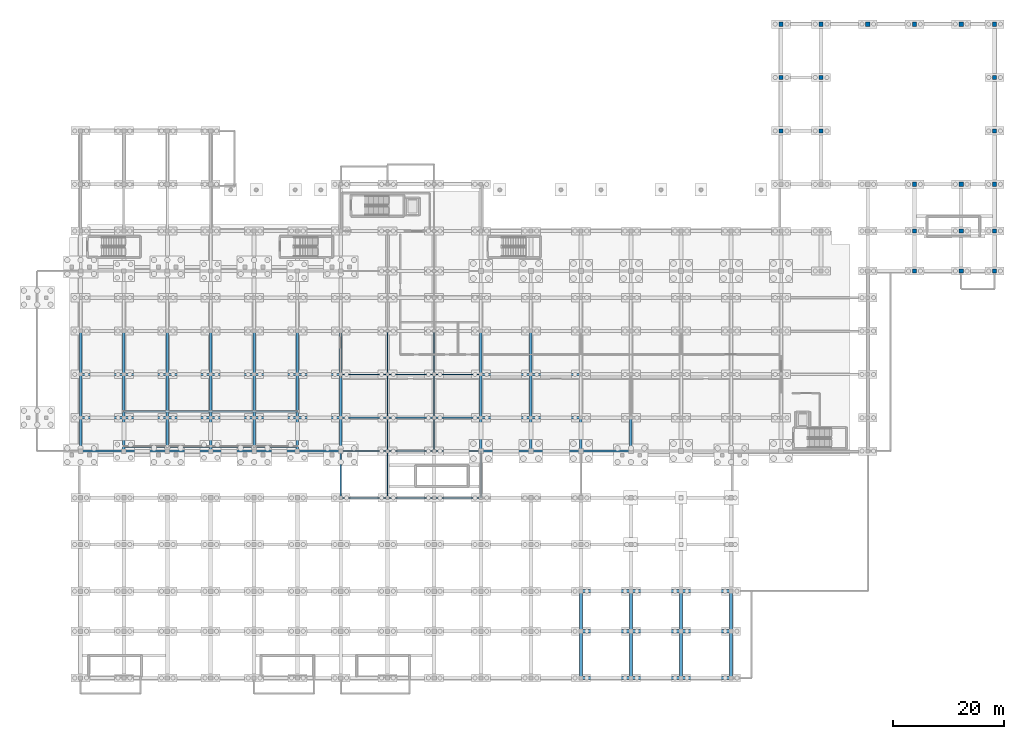
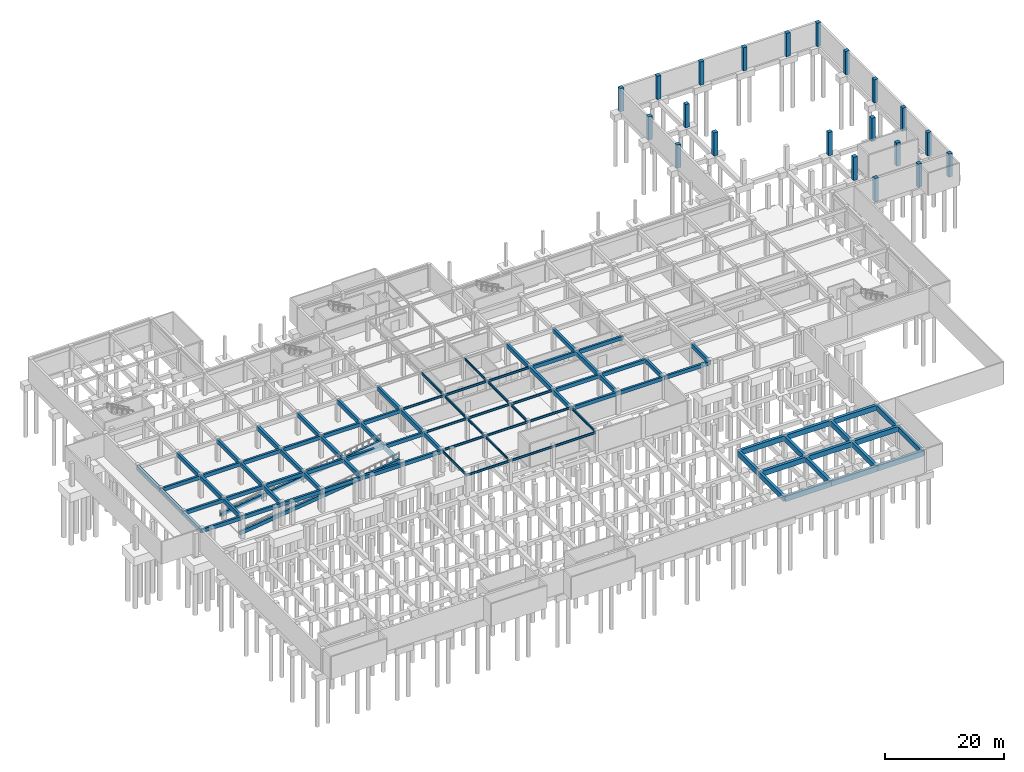
# One storey, part 12 of 26: 94 beams, 21 columns.
"""IFC4 building model written with IfcOpenShell, lengths in metres."""

from ifc_helpers import new_model, si_unit, direction, frame, origin, origin_2d, place, context, subcontext, project, spatial, rectangle, i_section, extrude, material, material_profile, profile_set, type_object, element, save


model = new_model("IFC4")

# Units and contexts
model_context = context("Model", 3, precision=1e-05, world=origin(), true_north=direction((0.0, 1.0)))
body_context = subcontext(model_context, "Body", "Model", "MODEL_VIEW")
ifc_project = project(units=[si_unit("LENGTHUNIT", "METRE"), si_unit("AREAUNIT", "SQUARE_METRE"), si_unit("VOLUMEUNIT", "CUBIC_METRE"), si_unit("PLANEANGLEUNIT", "RADIAN"), si_unit("MASSUNIT", "GRAM", prefix="KILO")], contexts=[model_context])

# Site, building, storey
site_placement = place(None, origin())
site = spatial("IfcSite", under=ifc_project, at=site_placement, CompositionType="ELEMENT")
building_placement = place(site_placement, origin())
building = spatial("IfcBuilding", under=site, at=building_placement, Name="Tizgana Railside Sports Hall", CompositionType="ELEMENT")
storey_placement = place(building_placement, frame((0.0, 0.0, -4.800048828125)))
storey = spatial("IfcBuildingStorey", under=building, at=storey_placement, Name="B1", CompositionType="ELEMENT", Elevation=-4.800048828125)

# Columns
ifc_material_1 = material(Name="Concrete C40/50", Category="concrete")
ifc_material_profile_1 = material_profile(ifc_material_1, rectangle(XDim=0.75, YDim=0.75, at=origin_2d()), Name="RC 750x750")
ifc_profile_set_1 = profile_set([ifc_material_profile_1], Name="Concrete C40/50")
column_type = type_object("IfcColumnType", Name="Concrete Column RC 750x750", PredefinedType="COLUMN", material=ifc_profile_set_1)
for number, where, z_axis, x_axis, name in (
    (1, (133.800048828125, 98.39990234375, 0.0), (0.0, 0.0, 1.0), (1.0, 0.0, 0.0), "B1 COL-0425"),
    (2, (133.800048828125, 108.0, 0.0), (0.0, 0.0, 1.0), (1.0, 0.0, 0.0), "B1 COL-0429"),
    (3, (133.800048828125, 117.60009765625, 0.0), (0.0, 0.0, 1.0), (1.0, 0.0, 0.0), "B1 COL-0433"),
    (4, (141.0, 98.39990234375, 0.0), (0.0, 0.0, 1.0), (1.0, 0.0, 0.0), "B1 COL-0449"),
    (5, (141.0, 108.0, 0.0), (0.0, 0.0, 1.0), (1.0, 0.0, 0.0), "B1 COL-0453"),
    (6, (141.0, 117.60009765625, 0.0), (0.0, 0.0, 1.0), (1.0, 0.0, 0.0), "B1 COL-0457"),
    (7, (149.39990234375, 117.60009765625, 0.0), (0.0, 0.0, 1.0), (1.0, 0.0, 0.0), "B1 COL-0473"),
    (8, (157.800048828125, 73.199951171875, 0.0), (0.0, 0.0, 1.0), (1.0, 0.0, 0.0), "B1 COL-0477"),
    (9, (157.800048828125, 80.39990234375, 0.0), (0.0, 0.0, 1.0), (1.0, 0.0, 0.0), "B1 COL-0481"),
    (10, (157.800048828125, 88.800048828125, 0.0), (0.0, 0.0, 1.0), (1.0, 0.0, 0.0), "B1 COL-0485"),
    (11, (157.800048828125, 117.60009765625, 0.0), (0.0, 0.0, 1.0), (1.0, 0.0, 0.0), "B1 COL-0489"),
    (12, (166.199951171875, 73.199951171875, 0.0), (0.0, 0.0, 1.0), (1.0, 0.0, 0.0), "B1 COL-0493"),
    (13, (166.199951171875, 80.39990234375, 0.0), (0.0, 0.0, 1.0), (1.0, 0.0, 0.0), "B1 COL-0497"),
    (14, (166.199951171875, 88.800048828125, 0.0), (0.0, 0.0, 1.0), (1.0, 0.0, 0.0), "B1 COL-0501"),
    (15, (166.199951171875, 117.60009765625, 0.0), (0.0, 0.0, 1.0), (1.0, 0.0, 0.0), "B1 COL-0505"),
    (16, (172.199951171875, 73.199951171875, 0.0), (0.0, 0.0, 1.0), (1.0, 0.0, 0.0), "B1 COL-0509"),
    (17, (172.199951171875, 80.39990234375, 0.0), (0.0, 0.0, 1.0), (1.0, 0.0, 0.0), "B1 COL-0513"),
    (18, (172.199951171875, 88.800048828125, 0.0), (0.0, 0.0, 1.0), (1.0, 0.0, 0.0), "B1 COL-0517"),
    (19, (172.199951171875, 98.39990234375, 0.0), (0.0, 0.0, 1.0), (1.0, 0.0, 0.0), "B1 COL-0521"),
    (20, (172.199951171875, 108.0, 0.0), (0.0, 0.0, 1.0), (1.0, 0.0, 0.0), "B1 COL-0525"),
    (21, (172.199951171875, 117.60009765625, 0.0), (0.0, 0.0, 1.0), (1.0, 0.0, 0.0), "B1 COL-0529"),
):
    element("IfcColumn", number, at=place(storey_placement, frame(where, z_axis=z_axis, x_axis=x_axis)), inside=storey, type_object=column_type, Name=name, PredefinedType="COLUMN", context=body_context, shape_type="SweptSolid", body=[
        extrude(rectangle(XDim=0.75, YDim=0.75, at=origin_2d()), origin(), (0.0, 0.0, 1.0), 4.800048828125),
    ])

# Beams
ifc_material_2 = material(Name="Concrete C35/45", Category="concrete")
ifc_material_profile_2 = material_profile(ifc_material_2, rectangle(XDim=0.39990234375, YDim=0.75, at=origin_2d()), Name="RCB 400x750")
ifc_profile_set_2 = profile_set([ifc_material_profile_2], Name="Concrete C35/45")
beam_type_1 = type_object("IfcBeamType", Name="Concrete Beam RCB 400x750", PredefinedType="BEAM", material=ifc_profile_set_2)
for number, where, z_axis, x_axis, name in (
    (22, (15.60009765625, 41.64990234375, 0.375), (0.991679755747, 0.0, 0.128729414047), (0.0, 1.0, 0.0), "B1 Vehicle Ramp Stringer Beam"),
    (23, (15.60009765625, 47.949951171875, 0.375), (0.991679755747, 0.0, 0.128729414047), (0.0, 1.0, 0.0), "B1 Vehicle Ramp Stringer Beam"),
):
    element("IfcBeam", number, at=place(storey_placement, frame(where, z_axis=z_axis, x_axis=x_axis)), inside=storey, type_object=beam_type_1, Name=name, PredefinedType="BEAM", context=body_context, shape_type="SweptSolid", body=[
        extrude(rectangle(XDim=0.39990234375, YDim=0.75, at=origin_2d()), origin(), (0.0, 0.0, 1.0), 31.461669921875),
    ])
for number, where, z_axis, x_axis, name in (
    (24, (7.800048828125, 40.800048828125, 4.131103515625), (1.0, 0.0, 0.0), (0.0, 1.0, 0.0), "B1 BEM-1028"),
    (25, (7.800048828125, 46.800048828125, 4.151123046875), (1.0, 0.0, 0.0), (0.0, 1.0, 0.0), "B1 BEM-1029"),
    (26, (7.800048828125, 54.60009765625, 4.151123046875), (1.0, 0.0, 0.0), (0.0, 1.0, 0.0), "B1 BEM-1030"),
):
    element("IfcBeam", number, at=place(storey_placement, frame(where, z_axis=z_axis, x_axis=x_axis)), inside=storey, type_object=beam_type_1, Name=name, PredefinedType="BEAM", context=body_context, shape_type="SweptSolid", body=[
        extrude(rectangle(XDim=0.39990234375, YDim=0.75, at=origin_2d()), origin(), (0.0, 0.0, 1.0), 7.800048828125),
    ])
for number, where, z_axis, x_axis, name in (
    (27, (15.60009765625, 40.800048828125, 4.131103515625), (1.0, 0.0, 0.0), (0.0, 1.0, 0.0), "B1 BEM-1035"),
    (28, (15.60009765625, 46.800048828125, 4.151123046875), (1.0, 0.0, 0.0), (0.0, 1.0, 0.0), "B1 BEM-1036"),
    (29, (15.60009765625, 54.60009765625, 4.151123046875), (1.0, 0.0, 0.0), (0.0, 1.0, 0.0), "B1 BEM-1037"),
):
    element("IfcBeam", number, at=place(storey_placement, frame(where, z_axis=z_axis, x_axis=x_axis)), inside=storey, type_object=beam_type_1, Name=name, PredefinedType="BEAM", context=body_context, shape_type="SweptSolid", body=[
        extrude(rectangle(XDim=0.39990234375, YDim=0.75, at=origin_2d()), origin(), (0.0, 0.0, 1.0), 7.7998046875),
    ])
for number, where, z_axis, x_axis, name in (
    (30, (23.39990234375, 40.800048828125, 4.131103515625), (1.0, 0.0, 0.0), (0.0, 1.0, 0.0), "B1 BEM-1042"),
    (31, (23.39990234375, 46.800048828125, 4.151123046875), (1.0, 0.0, 0.0), (0.0, 1.0, 0.0), "B1 BEM-1043"),
    (32, (23.39990234375, 54.60009765625, 4.151123046875), (1.0, 0.0, 0.0), (0.0, 1.0, 0.0), "B1 BEM-1044"),
    (33, (31.199951171875, 40.800048828125, 4.131103515625), (1.0, 0.0, 0.0), (0.0, 1.0, 0.0), "B1 BEM-1049"),
    (34, (31.199951171875, 46.800048828125, 4.151123046875), (1.0, 0.0, 0.0), (0.0, 1.0, 0.0), "B1 BEM-1050"),
    (35, (31.199951171875, 54.60009765625, 4.151123046875), (1.0, 0.0, 0.0), (0.0, 1.0, 0.0), "B1 BEM-1051"),
    (36, (39.0, 40.800048828125, 4.131103515625), (1.0, 0.0, 0.0), (0.0, 1.0, 0.0), "B1 BEM-1056"),
    (37, (39.0, 46.800048828125, 4.151123046875), (1.0, 0.0, 0.0), (0.0, 1.0, 0.0), "B1 BEM-1057"),
    (38, (39.0, 54.60009765625, 4.151123046875), (1.0, 0.0, 0.0), (0.0, 1.0, 0.0), "B1 BEM-1058"),
    (39, (46.800048828125, 40.800048828125, 4.131103515625), (1.0, 0.0, 0.0), (0.0, 1.0, 0.0), "B1 BEM-1063"),
    (40, (46.800048828125, 46.800048828125, 4.151123046875), (1.0, 0.0, 0.0), (0.0, 1.0, 0.0), "B1 BEM-1064"),
    (41, (46.800048828125, 54.60009765625, 4.151123046875), (1.0, 0.0, 0.0), (0.0, 1.0, 0.0), "B1 BEM-1065"),
):
    element("IfcBeam", number, at=place(storey_placement, frame(where, z_axis=z_axis, x_axis=x_axis)), inside=storey, type_object=beam_type_1, Name=name, PredefinedType="BEAM", context=body_context, shape_type="SweptSolid", body=[
        extrude(rectangle(XDim=0.39990234375, YDim=0.75, at=origin_2d()), origin(), (0.0, 0.0, 1.0), 7.800048828125),
    ])
for number, where, z_axis, x_axis, name in (
    (42, (79.800048828125, 40.800048828125, 4.10107421875), (1.0, 0.0, 0.0), (0.0, 1.0, 0.0), "B1 BEM-1111"),
    (43, (79.800048828125, 46.800048828125, 4.10107421875), (1.0, 0.0, 0.0), (0.0, 1.0, 0.0), "B1 BEM-1112"),
    (44, (79.800048828125, 54.60009765625, 4.10107421875), (1.0, 0.0, 0.0), (0.0, 1.0, 0.0), "B1 BEM-1113"),
    (45, (88.800048828125, 40.800048828125, 4.10107421875), (1.0, 0.0, 0.0), (0.0, 1.0, 0.0), "B1 BEM-1118"),
    (46, (88.800048828125, 46.800048828125, 4.10107421875), (1.0, 0.0, 0.0), (0.0, 1.0, 0.0), "B1 BEM-1119"),
    (47, (88.800048828125, 54.60009765625, 4.10107421875), (1.0, 0.0, 0.0), (0.0, 1.0, 0.0), "B1 BEM-1120"),
    (48, (97.800048828125, 40.800048828125, 4.10107421875), (1.0, 0.0, 0.0), (0.0, 1.0, 0.0), "B1 BEM-1125"),
):
    element("IfcBeam", number, at=place(storey_placement, frame(where, z_axis=z_axis, x_axis=x_axis)), inside=storey, type_object=beam_type_1, Name=name, PredefinedType="BEAM", context=body_context, shape_type="SweptSolid", body=[
        extrude(rectangle(XDim=0.39990234375, YDim=0.75, at=origin_2d()), origin(), (0.0, 0.0, 1.0), 9.0),
    ])
ifc_material_profile_3 = material_profile(ifc_material_1, rectangle(XDim=0.449951171875, YDim=0.85009765625, at=origin_2d()), Name="RCB 450x850")
ifc_profile_set_3 = profile_set([ifc_material_profile_3], Name="Concrete C40/50")
beam_type_2 = type_object("IfcBeamType", Name="Concrete Beam RCB 450x850", PredefinedType="BEAM", material=ifc_profile_set_3)
beam_1_placement = place(storey_placement, frame((7.800048828125, 40.800048828125, 4.10107421875), z_axis=(0.0, 1.0, 0.0), x_axis=(-1.0, 0.0, 0.0)))
element("IfcBeam", 49, at=beam_1_placement, inside=storey, type_object=beam_type_2, Name="B1 BEM-0988", PredefinedType="BEAM", context=body_context, shape_type="SweptSolid", body=[
    extrude(rectangle(XDim=0.449951171875, YDim=0.85009765625, at=origin_2d()), origin(), (0.0, 0.0, 1.0), 6.0),
])
beam_2_placement = place(storey_placement, frame((7.800048828125, 46.800048828125, 4.10107421875), z_axis=(0.0, 1.0, 0.0), x_axis=(-1.0, 0.0, 0.0)))
element("IfcBeam", 50, at=beam_2_placement, inside=storey, type_object=beam_type_2, Name="B1 BEM-0989", PredefinedType="BEAM", context=body_context, shape_type="SweptSolid", body=[
    extrude(rectangle(XDim=0.449951171875, YDim=0.85009765625, at=origin_2d()), origin(), (0.0, 0.0, 1.0), 7.800048828125),
])
beam_3_placement = place(storey_placement, frame((7.800048828125, 54.60009765625, 4.10107421875), z_axis=(0.0, 1.0, 0.0), x_axis=(-1.0, 0.0, 0.0)))
element("IfcBeam", 51, at=beam_3_placement, inside=storey, type_object=beam_type_2, Name="B1 BEM-0990", PredefinedType="BEAM", context=body_context, shape_type="SweptSolid", body=[
    extrude(rectangle(XDim=0.449951171875, YDim=0.85009765625, at=origin_2d()), origin(), (0.0, 0.0, 1.0), 7.7998046875),
])
beam_4_placement = place(storey_placement, frame((15.60009765625, 40.800048828125, 4.0810546875), z_axis=(0.0, 1.0, 0.0), x_axis=(-1.0, 0.0, 0.0)))
element("IfcBeam", 52, at=beam_4_placement, inside=storey, type_object=beam_type_2, Name="B1 BEM-0994", PredefinedType="BEAM", context=body_context, shape_type="SweptSolid", body=[
    extrude(rectangle(XDim=0.449951171875, YDim=0.85009765625, at=origin_2d()), origin(), (0.0, 0.0, 1.0), 6.0),
])
beam_5_placement = place(storey_placement, frame((15.60009765625, 46.800048828125, 4.10107421875), z_axis=(0.0, 1.0, 0.0), x_axis=(-1.0, 0.0, 0.0)))
element("IfcBeam", 53, at=beam_5_placement, inside=storey, type_object=beam_type_2, Name="B1 BEM-0995", PredefinedType="BEAM", context=body_context, shape_type="SweptSolid", body=[
    extrude(rectangle(XDim=0.449951171875, YDim=0.85009765625, at=origin_2d()), origin(), (0.0, 0.0, 1.0), 7.800048828125),
])
beam_6_placement = place(storey_placement, frame((15.60009765625, 54.60009765625, 4.10107421875), z_axis=(0.0, 1.0, 0.0), x_axis=(-1.0, 0.0, 0.0)))
element("IfcBeam", 54, at=beam_6_placement, inside=storey, type_object=beam_type_2, Name="B1 BEM-0996", PredefinedType="BEAM", context=body_context, shape_type="SweptSolid", body=[
    extrude(rectangle(XDim=0.449951171875, YDim=0.85009765625, at=origin_2d()), origin(), (0.0, 0.0, 1.0), 7.7998046875),
])
beam_7_placement = place(storey_placement, frame((23.39990234375, 40.800048828125, 4.0810546875), z_axis=(0.0, 1.0, 0.0), x_axis=(-1.0, 0.0, 0.0)))
element("IfcBeam", 55, at=beam_7_placement, inside=storey, type_object=beam_type_2, Name="B1 BEM-0999", PredefinedType="BEAM", context=body_context, shape_type="SweptSolid", body=[
    extrude(rectangle(XDim=0.449951171875, YDim=0.85009765625, at=origin_2d()), origin(), (0.0, 0.0, 1.0), 6.0),
])
beam_8_placement = place(storey_placement, frame((23.39990234375, 46.800048828125, 4.10107421875), z_axis=(0.0, 1.0, 0.0), x_axis=(-1.0, 0.0, 0.0)))
element("IfcBeam", 56, at=beam_8_placement, inside=storey, type_object=beam_type_2, Name="B1 BEM-1000", PredefinedType="BEAM", context=body_context, shape_type="SweptSolid", body=[
    extrude(rectangle(XDim=0.449951171875, YDim=0.85009765625, at=origin_2d()), origin(), (0.0, 0.0, 1.0), 7.800048828125),
])
beam_9_placement = place(storey_placement, frame((23.39990234375, 54.60009765625, 4.10107421875), z_axis=(0.0, 1.0, 0.0), x_axis=(-1.0, 0.0, 0.0)))
element("IfcBeam", 57, at=beam_9_placement, inside=storey, type_object=beam_type_2, Name="B1 BEM-1001", PredefinedType="BEAM", context=body_context, shape_type="SweptSolid", body=[
    extrude(rectangle(XDim=0.449951171875, YDim=0.85009765625, at=origin_2d()), origin(), (0.0, 0.0, 1.0), 7.7998046875),
])
beam_10_placement = place(storey_placement, frame((31.199951171875, 40.800048828125, 4.0810546875), z_axis=(0.0, 1.0, 0.0), x_axis=(-1.0, 0.0, 0.0)))
element("IfcBeam", 58, at=beam_10_placement, inside=storey, type_object=beam_type_2, Name="B1 BEM-1005", PredefinedType="BEAM", context=body_context, shape_type="SweptSolid", body=[
    extrude(rectangle(XDim=0.449951171875, YDim=0.85009765625, at=origin_2d()), origin(), (0.0, 0.0, 1.0), 6.0),
])
beam_11_placement = place(storey_placement, frame((31.199951171875, 46.800048828125, 4.10107421875), z_axis=(0.0, 1.0, 0.0), x_axis=(-1.0, 0.0, 0.0)))
element("IfcBeam", 59, at=beam_11_placement, inside=storey, type_object=beam_type_2, Name="B1 BEM-1006", PredefinedType="BEAM", context=body_context, shape_type="SweptSolid", body=[
    extrude(rectangle(XDim=0.449951171875, YDim=0.85009765625, at=origin_2d()), origin(), (0.0, 0.0, 1.0), 7.800048828125),
])
beam_12_placement = place(storey_placement, frame((31.199951171875, 54.60009765625, 4.10107421875), z_axis=(0.0, 1.0, 0.0), x_axis=(-1.0, 0.0, 0.0)))
element("IfcBeam", 60, at=beam_12_placement, inside=storey, type_object=beam_type_2, Name="B1 BEM-1007", PredefinedType="BEAM", context=body_context, shape_type="SweptSolid", body=[
    extrude(rectangle(XDim=0.449951171875, YDim=0.85009765625, at=origin_2d()), origin(), (0.0, 0.0, 1.0), 7.7998046875),
])
beam_13_placement = place(storey_placement, frame((39.0, 40.800048828125, 4.0810546875), z_axis=(0.0, 1.0, 0.0), x_axis=(-1.0, 0.0, 0.0)))
element("IfcBeam", 61, at=beam_13_placement, inside=storey, type_object=beam_type_2, Name="B1 BEM-1011", PredefinedType="BEAM", context=body_context, shape_type="SweptSolid", body=[
    extrude(rectangle(XDim=0.449951171875, YDim=0.85009765625, at=origin_2d()), origin(), (0.0, 0.0, 1.0), 6.0),
])
beam_14_placement = place(storey_placement, frame((39.0, 46.800048828125, 4.10107421875), z_axis=(0.0, 1.0, 0.0), x_axis=(-1.0, 0.0, 0.0)))
element("IfcBeam", 62, at=beam_14_placement, inside=storey, type_object=beam_type_2, Name="B1 BEM-1012", PredefinedType="BEAM", context=body_context, shape_type="SweptSolid", body=[
    extrude(rectangle(XDim=0.449951171875, YDim=0.85009765625, at=origin_2d()), origin(), (0.0, 0.0, 1.0), 7.800048828125),
])
beam_15_placement = place(storey_placement, frame((39.0, 54.60009765625, 4.10107421875), z_axis=(0.0, 1.0, 0.0), x_axis=(-1.0, 0.0, 0.0)))
element("IfcBeam", 63, at=beam_15_placement, inside=storey, type_object=beam_type_2, Name="B1 BEM-1013", PredefinedType="BEAM", context=body_context, shape_type="SweptSolid", body=[
    extrude(rectangle(XDim=0.449951171875, YDim=0.85009765625, at=origin_2d()), origin(), (0.0, 0.0, 1.0), 7.7998046875),
])
beam_16_placement = place(storey_placement, frame((46.800048828125, 40.800048828125, 4.0810546875), z_axis=(0.0, 1.0, 0.0), x_axis=(-1.0, 0.0, 0.0)))
element("IfcBeam", 64, at=beam_16_placement, inside=storey, type_object=beam_type_2, Name="B1 BEM-1017", PredefinedType="BEAM", context=body_context, shape_type="SweptSolid", body=[
    extrude(rectangle(XDim=0.449951171875, YDim=0.85009765625, at=origin_2d()), origin(), (0.0, 0.0, 1.0), 6.0),
])
beam_17_placement = place(storey_placement, frame((46.800048828125, 46.800048828125, 4.10107421875), z_axis=(0.0, 1.0, 0.0), x_axis=(-1.0, 0.0, 0.0)))
element("IfcBeam", 65, at=beam_17_placement, inside=storey, type_object=beam_type_2, Name="B1 BEM-1018", PredefinedType="BEAM", context=body_context, shape_type="SweptSolid", body=[
    extrude(rectangle(XDim=0.449951171875, YDim=0.85009765625, at=origin_2d()), origin(), (0.0, 0.0, 1.0), 7.800048828125),
])
beam_18_placement = place(storey_placement, frame((46.800048828125, 54.60009765625, 4.10107421875), z_axis=(0.0, 1.0, 0.0), x_axis=(-1.0, 0.0, 0.0)))
element("IfcBeam", 66, at=beam_18_placement, inside=storey, type_object=beam_type_2, Name="B1 BEM-1019", PredefinedType="BEAM", context=body_context, shape_type="SweptSolid", body=[
    extrude(rectangle(XDim=0.449951171875, YDim=0.85009765625, at=origin_2d()), origin(), (0.0, 0.0, 1.0), 7.7998046875),
])
beam_19_placement = place(storey_placement, frame((54.60009765625, 40.800048828125, 4.10107421875), z_axis=(0.0, 1.0, 0.0), x_axis=(-1.0, 0.0, 0.0)))
element("IfcBeam", 67, at=beam_19_placement, inside=storey, type_object=beam_type_2, Name="B1 BEM-1022", PredefinedType="BEAM", context=body_context, shape_type="SweptSolid", body=[
    extrude(rectangle(XDim=0.449951171875, YDim=0.85009765625, at=origin_2d()), origin(), (0.0, 0.0, 1.0), 6.0),
])
beam_20_placement = place(storey_placement, frame((54.60009765625, 46.800048828125, 4.10107421875), z_axis=(0.0, 1.0, 0.0), x_axis=(-1.0, 0.0, 0.0)))
element("IfcBeam", 68, at=beam_20_placement, inside=storey, type_object=beam_type_2, Name="B1 BEM-1023", PredefinedType="BEAM", context=body_context, shape_type="SweptSolid", body=[
    extrude(rectangle(XDim=0.449951171875, YDim=0.85009765625, at=origin_2d()), origin(), (0.0, 0.0, 1.0), 7.800048828125),
])
beam_21_placement = place(storey_placement, frame((54.60009765625, 54.60009765625, 4.10107421875), z_axis=(0.0, 1.0, 0.0), x_axis=(-1.0, 0.0, 0.0)))
element("IfcBeam", 69, at=beam_21_placement, inside=storey, type_object=beam_type_2, Name="B1 BEM-1024", PredefinedType="BEAM", context=body_context, shape_type="SweptSolid", body=[
    extrude(rectangle(XDim=0.449951171875, YDim=0.85009765625, at=origin_2d()), origin(), (0.0, 0.0, 1.0), 7.7998046875),
])
beam_22_placement = place(storey_placement, frame((79.800048828125, 40.800048828125, 4.051025390625), z_axis=(0.0, 1.0, 0.0), x_axis=(-1.0, 0.0, 0.0)))
element("IfcBeam", 70, at=beam_22_placement, inside=storey, type_object=beam_type_2, Name="B1 BEM-1070", PredefinedType="BEAM", context=body_context, shape_type="SweptSolid", body=[
    extrude(rectangle(XDim=0.449951171875, YDim=0.85009765625, at=origin_2d()), origin(), (0.0, 0.0, 1.0), 6.0),
])
beam_23_placement = place(storey_placement, frame((79.800048828125, 46.800048828125, 4.051025390625), z_axis=(0.0, 1.0, 0.0), x_axis=(-1.0, 0.0, 0.0)))
element("IfcBeam", 71, at=beam_23_placement, inside=storey, type_object=beam_type_2, Name="B1 BEM-1071", PredefinedType="BEAM", context=body_context, shape_type="SweptSolid", body=[
    extrude(rectangle(XDim=0.449951171875, YDim=0.85009765625, at=origin_2d()), origin(), (0.0, 0.0, 1.0), 7.800048828125),
])
beam_24_placement = place(storey_placement, frame((79.800048828125, 54.60009765625, 4.051025390625), z_axis=(0.0, 1.0, 0.0), x_axis=(-1.0, 0.0, 0.0)))
element("IfcBeam", 72, at=beam_24_placement, inside=storey, type_object=beam_type_2, Name="B1 BEM-1072", PredefinedType="BEAM", context=body_context, shape_type="SweptSolid", body=[
    extrude(rectangle(XDim=0.449951171875, YDim=0.85009765625, at=origin_2d()), origin(), (0.0, 0.0, 1.0), 7.7998046875),
])
beam_25_placement = place(storey_placement, frame((88.800048828125, 40.800048828125, 4.051025390625), z_axis=(0.0, 1.0, 0.0), x_axis=(-1.0, 0.0, 0.0)))
element("IfcBeam", 73, at=beam_25_placement, inside=storey, type_object=beam_type_2, Name="B1 BEM-1076", PredefinedType="BEAM", context=body_context, shape_type="SweptSolid", body=[
    extrude(rectangle(XDim=0.449951171875, YDim=0.85009765625, at=origin_2d()), origin(), (0.0, 0.0, 1.0), 6.0),
])
beam_26_placement = place(storey_placement, frame((88.800048828125, 46.800048828125, 4.051025390625), z_axis=(0.0, 1.0, 0.0), x_axis=(-1.0, 0.0, 0.0)))
element("IfcBeam", 74, at=beam_26_placement, inside=storey, type_object=beam_type_2, Name="B1 BEM-1077", PredefinedType="BEAM", context=body_context, shape_type="SweptSolid", body=[
    extrude(rectangle(XDim=0.449951171875, YDim=0.85009765625, at=origin_2d()), origin(), (0.0, 0.0, 1.0), 7.800048828125),
])
beam_27_placement = place(storey_placement, frame((88.800048828125, 54.60009765625, 4.051025390625), z_axis=(0.0, 1.0, 0.0), x_axis=(-1.0, 0.0, 0.0)))
element("IfcBeam", 75, at=beam_27_placement, inside=storey, type_object=beam_type_2, Name="B1 BEM-1078", PredefinedType="BEAM", context=body_context, shape_type="SweptSolid", body=[
    extrude(rectangle(XDim=0.449951171875, YDim=0.85009765625, at=origin_2d()), origin(), (0.0, 0.0, 1.0), 7.7998046875),
])
for number, where, z_axis, x_axis, name in (
    (76, (97.800048828125, 40.800048828125, 4.051025390625), (0.0, 1.0, 0.0), (-1.0, 0.0, 0.0), "B1 BEM-1081"),
    (77, (106.800048828125, 40.800048828125, 4.051025390625), (0.0, 1.0, 0.0), (-1.0, 0.0, 0.0), "B1 BEM-1087"),
):
    element("IfcBeam", number, at=place(storey_placement, frame(where, z_axis=z_axis, x_axis=x_axis)), inside=storey, type_object=beam_type_2, Name=name, PredefinedType="BEAM", context=body_context, shape_type="SweptSolid", body=[
        extrude(rectangle(XDim=0.449951171875, YDim=0.85009765625, at=origin_2d()), origin(), (0.0, 0.0, 1.0), 6.0),
    ])
ifc_material_profile_4 = material_profile(ifc_material_1, rectangle(XDim=0.550048828125, YDim=1.050048828125, at=origin_2d()), Name="RCB 550x1050")
ifc_profile_set_4 = profile_set([ifc_material_profile_4], Name="Concrete C40/50")
beam_type_3 = type_object("IfcBeamType", Name="Concrete Beam RCB 550x1050", PredefinedType="BEAM", material=ifc_profile_set_4)
beam_28_placement = place(storey_placement, frame((97.800048828125, 0.0, 3.97509765625), z_axis=(0.0, 1.0, 0.0), x_axis=(-1.0, 0.0, 0.0)))
element("IfcBeam", 78, at=beam_28_placement, inside=storey, type_object=beam_type_3, Name="B1 BEM-1330", PredefinedType="BEAM", context=body_context, shape_type="SweptSolid", body=[
    extrude(rectangle(XDim=0.550048828125, YDim=1.050048828125, at=origin_2d()), origin(), (0.0, 0.0, 1.0), 8.39990234375),
])
beam_29_placement = place(storey_placement, frame((97.800048828125, 8.39990234375, 3.97509765625), z_axis=(0.0, 1.0, 0.0), x_axis=(-1.0, 0.0, 0.0)))
element("IfcBeam", 79, at=beam_29_placement, inside=storey, type_object=beam_type_3, Name="B1 BEM-1332", PredefinedType="BEAM", context=body_context, shape_type="SweptSolid", body=[
    extrude(rectangle(XDim=0.550048828125, YDim=1.050048828125, at=origin_2d()), origin(), (0.0, 0.0, 1.0), 7.2001953125),
])
beam_30_placement = place(storey_placement, frame((106.800048828125, 0.0, 3.97509765625), z_axis=(0.0, 1.0, 0.0), x_axis=(-1.0, 0.0, 0.0)))
element("IfcBeam", 80, at=beam_30_placement, inside=storey, type_object=beam_type_3, Name="B1 BEM-1334", PredefinedType="BEAM", context=body_context, shape_type="SweptSolid", body=[
    extrude(rectangle(XDim=0.550048828125, YDim=1.050048828125, at=origin_2d()), origin(), (0.0, 0.0, 1.0), 8.39990234375),
])
beam_31_placement = place(storey_placement, frame((106.800048828125, 8.39990234375, 3.97509765625), z_axis=(0.0, 1.0, 0.0), x_axis=(-1.0, 0.0, 0.0)))
element("IfcBeam", 81, at=beam_31_placement, inside=storey, type_object=beam_type_3, Name="B1 BEM-1336", PredefinedType="BEAM", context=body_context, shape_type="SweptSolid", body=[
    extrude(rectangle(XDim=0.550048828125, YDim=1.050048828125, at=origin_2d()), origin(), (0.0, 0.0, 1.0), 7.2001953125),
])
beam_32_placement = place(storey_placement, frame((115.800048828125, 0.0, 3.97509765625), z_axis=(0.0, 1.0, 0.0), x_axis=(-1.0, 0.0, 0.0)))
element("IfcBeam", 82, at=beam_32_placement, inside=storey, type_object=beam_type_3, Name="B1 BEM-1338", PredefinedType="BEAM", context=body_context, shape_type="SweptSolid", body=[
    extrude(rectangle(XDim=0.550048828125, YDim=1.050048828125, at=origin_2d()), origin(), (0.0, 0.0, 1.0), 8.39990234375),
])
beam_33_placement = place(storey_placement, frame((115.800048828125, 8.39990234375, 3.97509765625), z_axis=(0.0, 1.0, 0.0), x_axis=(-1.0, 0.0, 0.0)))
element("IfcBeam", 83, at=beam_33_placement, inside=storey, type_object=beam_type_3, Name="B1 BEM-1340", PredefinedType="BEAM", context=body_context, shape_type="SweptSolid", body=[
    extrude(rectangle(XDim=0.550048828125, YDim=1.050048828125, at=origin_2d()), origin(), (0.0, 0.0, 1.0), 7.2001953125),
])
beam_34_placement = place(storey_placement, frame((124.800048828125, 0.0, 3.97509765625), z_axis=(0.0, 1.0, 0.0), x_axis=(-1.0, 0.0, 0.0)))
element("IfcBeam", 84, at=beam_34_placement, inside=storey, type_object=beam_type_3, Name="B1 BEM-1342", PredefinedType="BEAM", context=body_context, shape_type="SweptSolid", body=[
    extrude(rectangle(XDim=0.550048828125, YDim=1.050048828125, at=origin_2d()), origin(), (0.0, 0.0, 1.0), 8.39990234375),
])
beam_35_placement = place(storey_placement, frame((124.800048828125, 8.39990234375, 3.97509765625), z_axis=(0.0, 1.0, 0.0), x_axis=(-1.0, 0.0, 0.0)))
element("IfcBeam", 85, at=beam_35_placement, inside=storey, type_object=beam_type_3, Name="B1 BEM-1344", PredefinedType="BEAM", context=body_context, shape_type="SweptSolid", body=[
    extrude(rectangle(XDim=0.550048828125, YDim=1.050048828125, at=origin_2d()), origin(), (0.0, 0.0, 1.0), 7.2001953125),
])
for number, where, z_axis, x_axis, name in (
    (86, (97.800048828125, 0.0, 3.97509765625), (1.0, 0.0, 0.0), (0.0, 1.0, 0.0), "B1 BEM-1346"),
    (87, (97.800048828125, 8.39990234375, 3.97509765625), (1.0, 0.0, 0.0), (0.0, 1.0, 0.0), "B1 BEM-1348"),
    (88, (97.800048828125, 15.60009765625, 3.97509765625), (1.0, 0.0, 0.0), (0.0, 1.0, 0.0), "B1 BEM-1350"),
    (89, (106.800048828125, 0.0, 3.97509765625), (1.0, 0.0, 0.0), (0.0, 1.0, 0.0), "B1 BEM-1352"),
    (90, (106.800048828125, 8.39990234375, 3.97509765625), (1.0, 0.0, 0.0), (0.0, 1.0, 0.0), "B1 BEM-1354"),
    (91, (106.800048828125, 15.60009765625, 3.97509765625), (1.0, 0.0, 0.0), (0.0, 1.0, 0.0), "B1 BEM-1356"),
    (92, (115.800048828125, 0.0, 3.97509765625), (1.0, 0.0, 0.0), (0.0, 1.0, 0.0), "B1 BEM-1358"),
    (93, (115.800048828125, 8.39990234375, 3.97509765625), (1.0, 0.0, 0.0), (0.0, 1.0, 0.0), "B1 BEM-1360"),
    (94, (115.800048828125, 15.60009765625, 3.97509765625), (1.0, 0.0, 0.0), (0.0, 1.0, 0.0), "B1 BEM-1362"),
):
    element("IfcBeam", number, at=place(storey_placement, frame(where, z_axis=z_axis, x_axis=x_axis)), inside=storey, type_object=beam_type_3, Name=name, PredefinedType="BEAM", context=body_context, shape_type="SweptSolid", body=[
        extrude(rectangle(XDim=0.550048828125, YDim=1.050048828125, at=origin_2d()), origin(), (0.0, 0.0, 1.0), 9.0),
    ])
ifc_material_3 = material(Name="Steel S355J2", Category="steel")
ifc_material_profile_5 = material_profile(ifc_material_3, i_section(OverallWidth=0.18994140625, OverallDepth=0.449951171875, WebThickness=0.009521484375, FlangeThickness=0.0146484375, FilletRadius=0.02099609375, at=origin_2d()), Name="IPE 450")
ifc_profile_set_5 = profile_set([ifc_material_profile_5], Name="Steel S355J2")
beam_type_4 = type_object("IfcBeamType", Name="Steel Beam IPE 450", PredefinedType="BEAM", material=ifc_profile_set_5)
for number, where, z_axis, x_axis, name in (
    (95, (54.60009765625, 32.39990234375, 4.281005859375), (1.0, 0.0, 0.0), (0.0, 1.0, 0.0), "B1 BEM-0883"),
    (96, (54.60009765625, 40.800048828125, 4.301025390625), (1.0, 0.0, 0.0), (0.0, 1.0, 0.0), "B1 BEM-0884"),
    (97, (54.60009765625, 46.800048828125, 4.301025390625), (1.0, 0.0, 0.0), (0.0, 1.0, 0.0), "B1 BEM-0885"),
    (98, (54.60009765625, 54.60009765625, 4.301025390625), (1.0, 0.0, 0.0), (0.0, 1.0, 0.0), "B1 BEM-0886"),
    (99, (63.0, 32.39990234375, 4.281005859375), (1.0, 0.0, 0.0), (0.0, 1.0, 0.0), "B1 BEM-0892"),
    (100, (63.0, 40.800048828125, 4.301025390625), (1.0, 0.0, 0.0), (0.0, 1.0, 0.0), "B1 BEM-0893"),
    (101, (63.0, 46.800048828125, 4.301025390625), (1.0, 0.0, 0.0), (0.0, 1.0, 0.0), "B1 BEM-0894"),
    (102, (63.0, 54.60009765625, 4.301025390625), (1.0, 0.0, 0.0), (0.0, 1.0, 0.0), "B1 BEM-0895"),
):
    element("IfcBeam", number, at=place(storey_placement, frame(where, z_axis=z_axis, x_axis=x_axis)), inside=storey, type_object=beam_type_4, Name=name, PredefinedType="BEAM", context=body_context, shape_type="SweptSolid", body=[
        extrude(i_section(OverallWidth=0.18994140625, OverallDepth=0.449951171875, WebThickness=0.009521484375, FlangeThickness=0.0146484375, FilletRadius=0.02099609375, at=origin_2d()), origin(), (0.0, 0.0, 1.0), 8.39990234375),
    ])
for number, where, z_axis, x_axis, name in (
    (103, (71.39990234375, 32.39990234375, 4.281005859375), (1.0, 0.0, 0.0), (0.0, 1.0, 0.0), "B1 BEM-0901"),
    (104, (71.39990234375, 40.800048828125, 4.301025390625), (1.0, 0.0, 0.0), (0.0, 1.0, 0.0), "B1 BEM-0902"),
    (105, (71.39990234375, 46.800048828125, 4.2509765625), (1.0, 0.0, 0.0), (0.0, 1.0, 0.0), "B1 BEM-0903"),
    (106, (71.39990234375, 54.60009765625, 4.2509765625), (1.0, 0.0, 0.0), (0.0, 1.0, 0.0), "B1 BEM-0904"),
):
    element("IfcBeam", number, at=place(storey_placement, frame(where, z_axis=z_axis, x_axis=x_axis)), inside=storey, type_object=beam_type_4, Name=name, PredefinedType="BEAM", context=body_context, shape_type="SweptSolid", body=[
        extrude(i_section(OverallWidth=0.18994140625, OverallDepth=0.449951171875, WebThickness=0.009521484375, FlangeThickness=0.0146484375, FilletRadius=0.02099609375, at=origin_2d()), origin(), (0.0, 0.0, 1.0), 8.400146484375),
    ])
ifc_material_profile_6 = material_profile(ifc_material_3, i_section(OverallWidth=0.199951171875, OverallDepth=0.5, WebThickness=0.01025390625, FlangeThickness=0.01611328125, FilletRadius=0.02099609375, at=origin_2d()), Name="IPE 500")
ifc_profile_set_6 = profile_set([ifc_material_profile_6], Name="Steel S355J2")
beam_type_5 = type_object("IfcBeamType", Name="Steel Beam IPE 500", PredefinedType="BEAM", material=ifc_profile_set_6)
for number, where, z_axis, x_axis, name in (
    (107, (54.60009765625, 32.39990234375, 4.256103515625), (0.0, 1.0, 0.0), (-1.0, 0.0, 0.0), "B1 BEM-0867"),
    (108, (63.0, 32.39990234375, 4.256103515625), (0.0, 1.0, 0.0), (-1.0, 0.0, 0.0), "B1 BEM-0868"),
):
    element("IfcBeam", number, at=place(storey_placement, frame(where, z_axis=z_axis, x_axis=x_axis)), inside=storey, type_object=beam_type_5, Name=name, PredefinedType="BEAM", context=body_context, shape_type="SweptSolid", body=[
        extrude(i_section(OverallWidth=0.199951171875, OverallDepth=0.5, WebThickness=0.01025390625, FlangeThickness=0.01611328125, FilletRadius=0.02099609375, at=origin_2d()), origin(), (0.0, 0.0, 1.0), 8.400146484375),
    ])
beam_36_placement = place(storey_placement, frame((63.0, 40.800048828125, 4.276123046875), z_axis=(0.0, 1.0, 0.0), x_axis=(-1.0, 0.0, 0.0)))
element("IfcBeam", 109, at=beam_36_placement, inside=storey, type_object=beam_type_5, Name="B1 BEM-0869", PredefinedType="BEAM", context=body_context, shape_type="SweptSolid", body=[
    extrude(i_section(OverallWidth=0.199951171875, OverallDepth=0.5, WebThickness=0.01025390625, FlangeThickness=0.01611328125, FilletRadius=0.02099609375, at=origin_2d()), origin(), (0.0, 0.0, 1.0), 6.0),
])
beam_37_placement = place(storey_placement, frame((63.0, 46.800048828125, 4.276123046875), z_axis=(0.0, 1.0, 0.0), x_axis=(-1.0, 0.0, 0.0)))
element("IfcBeam", 110, at=beam_37_placement, inside=storey, type_object=beam_type_5, Name="B1 BEM-0870", PredefinedType="BEAM", context=body_context, shape_type="SweptSolid", body=[
    extrude(i_section(OverallWidth=0.199951171875, OverallDepth=0.5, WebThickness=0.01025390625, FlangeThickness=0.01611328125, FilletRadius=0.02099609375, at=origin_2d()), origin(), (0.0, 0.0, 1.0), 7.800048828125),
])
beam_38_placement = place(storey_placement, frame((63.0, 54.60009765625, 4.276123046875), z_axis=(0.0, 1.0, 0.0), x_axis=(-1.0, 0.0, 0.0)))
element("IfcBeam", 111, at=beam_38_placement, inside=storey, type_object=beam_type_5, Name="B1 BEM-0871", PredefinedType="BEAM", context=body_context, shape_type="SweptSolid", body=[
    extrude(i_section(OverallWidth=0.199951171875, OverallDepth=0.5, WebThickness=0.01025390625, FlangeThickness=0.01611328125, FilletRadius=0.02099609375, at=origin_2d()), origin(), (0.0, 0.0, 1.0), 7.7998046875),
])
beam_39_placement = place(storey_placement, frame((71.39990234375, 40.800048828125, 4.276123046875), z_axis=(0.0, 1.0, 0.0), x_axis=(-1.0, 0.0, 0.0)))
element("IfcBeam", 112, at=beam_39_placement, inside=storey, type_object=beam_type_5, Name="B1 BEM-0875", PredefinedType="BEAM", context=body_context, shape_type="SweptSolid", body=[
    extrude(i_section(OverallWidth=0.199951171875, OverallDepth=0.5, WebThickness=0.01025390625, FlangeThickness=0.01611328125, FilletRadius=0.02099609375, at=origin_2d()), origin(), (0.0, 0.0, 1.0), 6.0),
])
beam_40_placement = place(storey_placement, frame((71.39990234375, 46.800048828125, 4.276123046875), z_axis=(0.0, 1.0, 0.0), x_axis=(-1.0, 0.0, 0.0)))
element("IfcBeam", 113, at=beam_40_placement, inside=storey, type_object=beam_type_5, Name="B1 BEM-0876", PredefinedType="BEAM", context=body_context, shape_type="SweptSolid", body=[
    extrude(i_section(OverallWidth=0.199951171875, OverallDepth=0.5, WebThickness=0.01025390625, FlangeThickness=0.01611328125, FilletRadius=0.02099609375, at=origin_2d()), origin(), (0.0, 0.0, 1.0), 7.800048828125),
])
beam_41_placement = place(storey_placement, frame((71.39990234375, 54.60009765625, 4.276123046875), z_axis=(0.0, 1.0, 0.0), x_axis=(-1.0, 0.0, 0.0)))
element("IfcBeam", 114, at=beam_41_placement, inside=storey, type_object=beam_type_5, Name="B1 BEM-0877", PredefinedType="BEAM", context=body_context, shape_type="SweptSolid", body=[
    extrude(i_section(OverallWidth=0.199951171875, OverallDepth=0.5, WebThickness=0.01025390625, FlangeThickness=0.01611328125, FilletRadius=0.02099609375, at=origin_2d()), origin(), (0.0, 0.0, 1.0), 7.7998046875),
])
beam_42_placement = place(storey_placement, frame((79.800048828125, 32.39990234375, 4.276123046875), z_axis=(0.0, 1.0, 0.0), x_axis=(-1.0, 0.0, 0.0)))
element("IfcBeam", 115, at=beam_42_placement, inside=storey, type_object=beam_type_5, Name="B1 BEM-0882", PredefinedType="BEAM", context=body_context, shape_type="SweptSolid", body=[
    extrude(i_section(OverallWidth=0.199951171875, OverallDepth=0.5, WebThickness=0.01025390625, FlangeThickness=0.01611328125, FilletRadius=0.02099609375, at=origin_2d()), origin(), (0.0, 0.0, 1.0), 8.400146484375),
])

save(model, "model.ifc")
